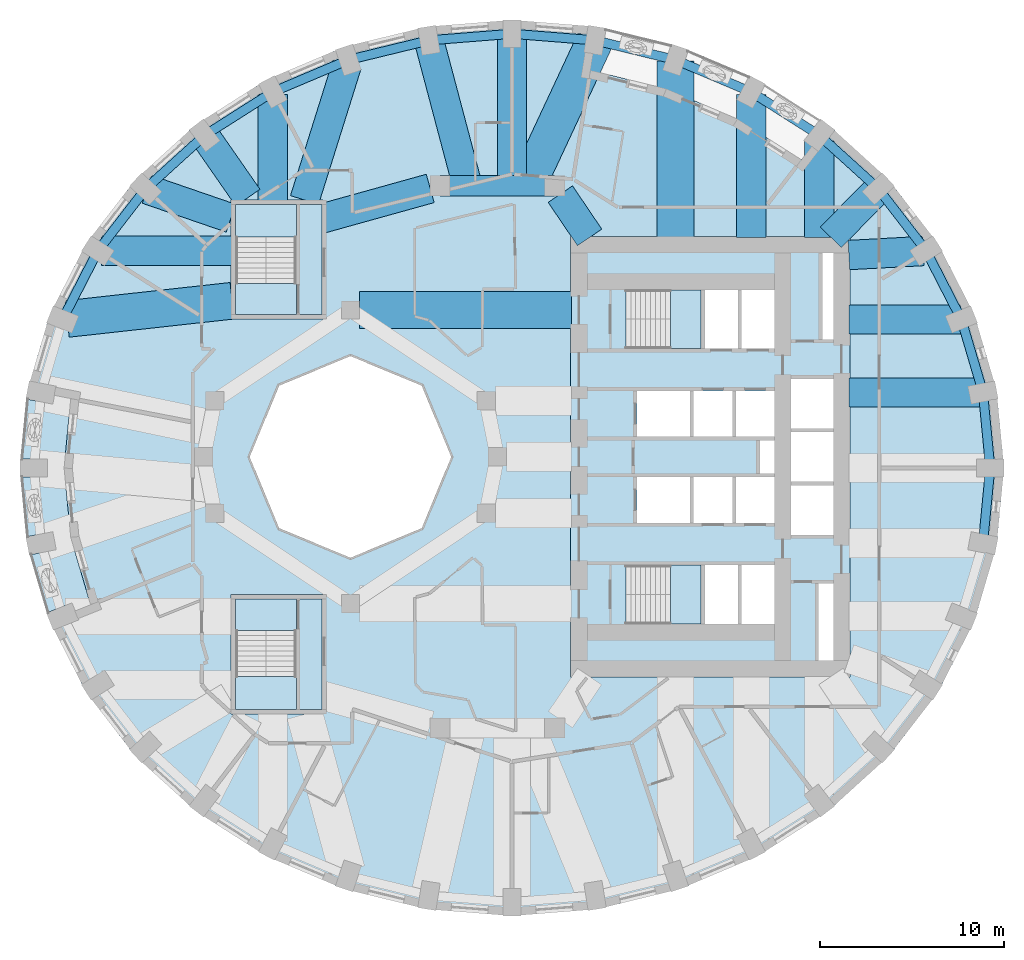
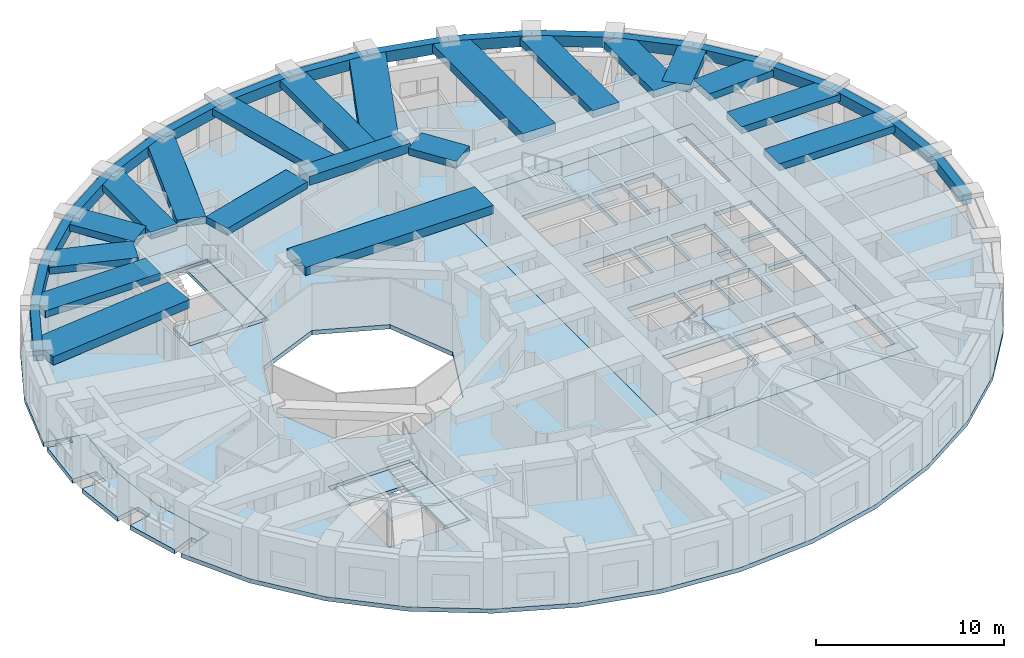
# One storey, part 2 of 12: 37 beams, 11 slabs, 4 elements without a shape of their own.
"""IFC4 building model written with IfcOpenShell, lengths in metres."""

from ifc_helpers import new_model, si_unit, direction, frame, origin, origin_2d, place, context, subcontext, project, spatial, polyline, rectangle, outline, extrude, material, layer, layer_set, material_profile, profile_set, type_object, element, aggregate, save


model = new_model("IFC4")

# Units and contexts
model_context = context("Model", 3, precision=1e-05, world=origin(), true_north=direction((0.0, 1.0)))
body_context = subcontext(model_context, "Body", "Model", "MODEL_VIEW")
ifc_project = project(units=[si_unit("LENGTHUNIT", "METRE"), si_unit("AREAUNIT", "SQUARE_METRE"), si_unit("VOLUMEUNIT", "CUBIC_METRE"), si_unit("PLANEANGLEUNIT", "RADIAN"), si_unit("MASSUNIT", "GRAM", prefix="KILO")], contexts=[model_context])

# Site, building, storey
site_placement = place(None, origin())
site = spatial("IfcSite", under=ifc_project, at=site_placement, CompositionType="ELEMENT")
building_placement = place(site_placement, origin())
building = spatial("IfcBuilding", under=site, at=building_placement, Name="Taillehof Tower", CompositionType="ELEMENT")
storey_placement = place(building_placement, frame((0.0, 0.0, 102.10009765625)))
storey = spatial("IfcBuildingStorey", under=building, at=storey_placement, Name="L28", CompositionType="ELEMENT", Elevation=102.10009765625)

# Beams
ifc_material_1 = material(Name="Concrete C50/60", Category="concrete")
ifc_material_profile_1 = material_profile(ifc_material_1, rectangle(XDim=1.10009765625, YDim=0.60009765625, at=origin_2d()), Name="RC 1100x600")
ifc_profile_set_1 = profile_set([ifc_material_profile_1], Name="Concrete C50/60")
beam_type_1 = type_object("IfcBeamType", Name="Mid-ring beam C50/60 1100x600", PredefinedType="BEAM", material=ifc_profile_set_1)
beam_1_placement = place(storey_placement, frame((3.125732421875, 14.772216796875, 2.719970703125), z_axis=(-1.0, 0.0, 0.0), x_axis=(0.0, -1.0, 0.0)))
element("IfcBeam", 1, at=beam_1_placement, inside=storey, type_object=beam_type_1, Name="Mid-ring beam MB01", PredefinedType="BEAM", context=body_context, shape_type="SweptSolid", body=[
    extrude(rectangle(XDim=1.10009765625, YDim=0.60009765625, at=origin_2d()), origin(), (0.0, 0.0, 1.0), 6.25146484375),
])
ifc_material_2 = material(Name="Concrete C50/60", Category="concrete")
ifc_material_profile_2 = material_profile(ifc_material_2, rectangle(XDim=1.60009765625, YDim=0.449951171875, at=origin_2d()), Name="RC 1600x450")
ifc_profile_set_2 = profile_set([ifc_material_profile_2], Name="Concrete C50/60")
beam_type_2 = type_object("IfcBeamType", Name="Radial band beam C50/60 1600x450", PredefinedType="BEAM", material=ifc_profile_set_2)
beam_2_placement = place(storey_placement, frame((26.454345703125, 3.5068359375, 2.794921875), z_axis=(-1.0, 0.0, 0.0), x_axis=(0.0, -1.0, 0.0)))
element("IfcBeam", 2, at=beam_2_placement, inside=storey, type_object=beam_type_2, Name="Radial band beam RB02", PredefinedType="BEAM", context=body_context, shape_type="SweptSolid", body=[
    extrude(rectangle(XDim=1.60009765625, YDim=0.449951171875, at=origin_2d()), origin(), (0.0, 0.0, 1.0), 7.304443359375),
])
beam_3_placement = place(storey_placement, frame((25.2275390625, 7.48876953125, 2.794921875), z_axis=(-1.0, 0.0, 0.0), x_axis=(0.0, -1.0, 0.0)))
element("IfcBeam", 3, at=beam_3_placement, inside=storey, type_object=beam_type_2, Name="Radial band beam RB03", PredefinedType="BEAM", context=body_context, shape_type="SweptSolid", body=[
    extrude(rectangle(XDim=1.60009765625, YDim=0.449951171875, at=origin_2d()), origin(), (0.0, 0.0, 1.0), 6.07763671875),
])
beam_4_placement = place(storey_placement, frame((23.197021484375, 11.21630859375, 2.794921875), z_axis=(-0.998539024739, -0.054035322466, 0.0), x_axis=(0.054035322466, -0.998539024739, 0.0)))
element("IfcBeam", 4, at=beam_4_placement, inside=storey, type_object=beam_type_2, Name="Radial band beam RB04", PredefinedType="BEAM", context=body_context, shape_type="SweptSolid", body=[
    extrude(rectangle(XDim=1.60009765625, YDim=0.449951171875, at=origin_2d()), origin(), (0.0, 0.0, 1.0), 4.052734375),
])
beam_5_placement = place(storey_placement, frame((20.75537109375, 14.60205078125, 2.794921875), z_axis=(-0.700671998657, -0.713483531903, 0.0), x_axis=(0.713483531903, -0.700671998657, 0.0)))
element("IfcBeam", 5, at=beam_5_placement, inside=storey, type_object=beam_type_2, Name="Radial band beam RB05", PredefinedType="BEAM", context=body_context, shape_type="SweptSolid", body=[
    extrude(rectangle(XDim=1.60009765625, YDim=0.449951171875, at=origin_2d()), origin(), (0.0, 0.0, 1.0), 3.697021484375),
])
beam_6_placement = place(storey_placement, frame((17.544677734375, 17.2216796875, 2.794921875), z_axis=(0.0, -1.0, 0.0), x_axis=(1.0, 0.0, 0.0)))
element("IfcBeam", 6, at=beam_6_placement, inside=storey, type_object=beam_type_2, Name="Radial band beam RB06", PredefinedType="BEAM", context=body_context, shape_type="SweptSolid", body=[
    extrude(rectangle(XDim=1.60009765625, YDim=0.449951171875, at=origin_2d()), origin(), (0.0, 0.0, 1.0), 5.271728515625),
])
beam_7_placement = place(storey_placement, frame((13.824951171875, 19.744384765625, 2.794921875), z_axis=(0.0, -1.0, 0.0), x_axis=(1.0, 0.0, 0.0)))
element("IfcBeam", 7, at=beam_7_placement, inside=storey, type_object=beam_type_2, Name="Radial band beam RB07", PredefinedType="BEAM", context=body_context, shape_type="SweptSolid", body=[
    extrude(rectangle(XDim=1.60009765625, YDim=0.449951171875, at=origin_2d()), origin(), (0.0, 0.0, 1.0), 7.79443359375),
])
beam_8_placement = place(storey_placement, frame((0.800048828125, 23.050048828125, 2.794921875), z_axis=(0.0, -1.0, 0.0), x_axis=(1.0, 0.0, 0.0)))
element("IfcBeam", 8, at=beam_8_placement, inside=storey, type_object=beam_type_2, Name="Radial band beam RB10", PredefinedType="BEAM", context=body_context, shape_type="SweptSolid", body=[
    extrude(rectangle(XDim=1.60009765625, YDim=0.449951171875, at=origin_2d()), origin(), (0.0, 0.0, 1.0), 8.27783203125),
])
beam_9_placement = place(storey_placement, frame((-3.7236328125, 22.690673828125, 2.794921875), z_axis=(0.256102263642, -0.966649693817, 0.0), x_axis=(0.966649693817, 0.256102263642, 0.0)))
element("IfcBeam", 9, at=beam_9_placement, inside=storey, type_object=beam_type_2, Name="Radial band beam RB11", PredefinedType="BEAM", context=body_context, shape_type="SweptSolid", body=[
    extrude(rectangle(XDim=1.60009765625, YDim=0.449951171875, at=origin_2d()), origin(), (0.0, 0.0, 1.0), 8.191650390625),
])
beam_10_placement = place(storey_placement, frame((-8.189453125, 21.369140625, 2.794921875), z_axis=(-0.299184997435, -0.954195125386, 0.0), x_axis=(0.954195125386, -0.299184997435, 0.0)))
element("IfcBeam", 10, at=beam_10_placement, inside=storey, type_object=beam_type_2, Name="Radial band beam RB12", PredefinedType="BEAM", context=body_context, shape_type="SweptSolid", body=[
    extrude(rectangle(XDim=1.60009765625, YDim=0.449951171875, at=origin_2d()), origin(), (0.0, 0.0, 1.0), 7.728515625),
])
beam_11_placement = place(storey_placement, frame((-12.22509765625, 19.744384765625, 2.794921875), z_axis=(0.0, -1.0, 0.0), x_axis=(1.0, 0.0, 0.0)))
element("IfcBeam", 11, at=beam_11_placement, inside=storey, type_object=beam_type_2, Name="Radial band beam RB13", PredefinedType="BEAM", context=body_context, shape_type="SweptSolid", body=[
    extrude(rectangle(XDim=1.60009765625, YDim=0.449951171875, at=origin_2d()), origin(), (0.0, 0.0, 1.0), 5.79443359375),
])
beam_12_placement = place(storey_placement, frame((-15.944580078125, 17.516845703125, 2.794921875), z_axis=(0.570763290366, -0.821114648737, 0.0), x_axis=(0.821114648737, 0.570763290366, 0.0)))
element("IfcBeam", 12, at=beam_12_placement, inside=storey, type_object=beam_type_2, Name="Radial band beam RB14", PredefinedType="BEAM", context=body_context, shape_type="SweptSolid", body=[
    extrude(rectangle(XDim=1.60009765625, YDim=0.449951171875, at=origin_2d()), origin(), (0.0, 0.0, 1.0), 4.1328125),
])
beam_13_placement = place(storey_placement, frame((-19.080810546875, 14.576171875, 2.794921875), z_axis=(0.945583195076, -0.325380425334, 0.0), x_axis=(0.325380425334, 0.945583195076, 0.0)))
element("IfcBeam", 13, at=beam_13_placement, inside=storey, type_object=beam_type_2, Name="Radial band beam RB15", PredefinedType="BEAM", context=body_context, shape_type="SweptSolid", body=[
    extrude(rectangle(XDim=1.60009765625, YDim=0.449951171875, at=origin_2d()), origin(), (0.0, 0.0, 1.0), 4.83349609375),
])
beam_14_placement = place(storey_placement, frame((-21.54736328125, 11.22509765625, 2.794921875), z_axis=(1.0, 0.0, 0.0), x_axis=(0.0, 1.0, 0.0)))
element("IfcBeam", 14, at=beam_14_placement, inside=storey, type_object=beam_type_2, Name="Radial band beam RB16", PredefinedType="BEAM", context=body_context, shape_type="SweptSolid", body=[
    extrude(rectangle(XDim=1.60009765625, YDim=0.449951171875, at=origin_2d()), origin(), (0.0, 0.0, 1.0), 7.097412109375),
])
beam_15_placement = place(storey_placement, frame((3.433837890625, 14.31640625, 2.794921875), z_axis=(0.560112043398, -0.828416862962, 0.0), x_axis=(0.828416862962, 0.560112043398, 0.0)))
element("IfcBeam", 15, at=beam_15_placement, inside=storey, type_object=beam_type_2, Name="Inner band beam IB205", PredefinedType="BEAM", context=body_context, shape_type="SweptSolid", body=[
    extrude(rectangle(XDim=1.60009765625, YDim=0.449951171875, at=origin_2d()), origin(), (0.0, 0.0, 1.0), 2.84619140625),
])
beam_16_placement = place(storey_placement, frame((-3.655517578125, 14.624755859375, 2.794921875), z_axis=(-0.963459369536, -0.267854518821, 0.0), x_axis=(0.267854518821, -0.963459369536, 0.0)))
element("IfcBeam", 16, at=beam_16_placement, inside=storey, type_object=beam_type_2, Name="Inner band beam IB206", PredefinedType="BEAM", context=body_context, shape_type="SweptSolid", body=[
    extrude(rectangle(XDim=1.60009765625, YDim=0.449951171875, at=origin_2d()), origin(), (0.0, 0.0, 1.0), 6.096923828125),
])
ifc_material_3 = material(Name="Concrete C50/60", Category="concrete")
ifc_material_profile_3 = material_profile(ifc_material_3, rectangle(XDim=2.0, YDim=0.550048828125, at=origin_2d()), Name="RC 2000x550")
ifc_profile_set_3 = profile_set([ifc_material_profile_3], Name="Concrete C50/60")
beam_type_3 = type_object("IfcBeamType", Name="Radial band beam C50/60 2000x550", PredefinedType="BEAM", material=ifc_profile_set_3)
beam_17_placement = place(storey_placement, frame((9.709716796875, 21.556640625, 2.744873046875), z_axis=(0.0, -1.0, 0.0), x_axis=(1.0, 0.0, 0.0)))
element("IfcBeam", 17, at=beam_17_placement, inside=storey, type_object=beam_type_3, Name="Radial band beam RB08", PredefinedType="BEAM", context=body_context, shape_type="SweptSolid", body=[
    extrude(rectangle(XDim=2.0, YDim=0.550048828125, at=origin_2d()), origin(), (0.0, 0.0, 1.0), 9.606689453125),
])
beam_18_placement = place(storey_placement, frame((5.312744140625, 22.66748046875, 2.744873046875), z_axis=(-0.423126261145, -0.90607072965, 0.0), x_axis=(0.90607072965, -0.423126261145, 0.0)))
element("IfcBeam", 18, at=beam_18_placement, inside=storey, type_object=beam_type_3, Name="Radial band beam RB09", PredefinedType="BEAM", context=body_context, shape_type="SweptSolid", body=[
    extrude(rectangle(XDim=2.0, YDim=0.550048828125, at=origin_2d()), origin(), (0.0, 0.0, 1.0), 8.713623046875),
])
beam_19_placement = place(storey_placement, frame((-23.42919921875, 7.516357421875, 2.744873046875), z_axis=(0.993988424713, 0.109485211499, 0.0), x_axis=(-0.109485211499, 0.993988424713, 0.0)))
element("IfcBeam", 19, at=beam_19_placement, inside=storey, type_object=beam_type_3, Name="Radial band beam RB17", PredefinedType="BEAM", context=body_context, shape_type="SweptSolid", body=[
    extrude(rectangle(XDim=2.0, YDim=0.550048828125, at=origin_2d()), origin(), (0.0, 0.0, 1.0), 9.033203125),
])
beam_20_placement = place(storey_placement, frame((-7.5, 8.0, 2.744873046875), z_axis=(1.0, 0.0, 0.0), x_axis=(0.0, 1.0, 0.0)))
element("IfcBeam", 20, at=beam_20_placement, inside=storey, type_object=beam_type_3, Name="Inner band beam IB105", PredefinedType="BEAM", context=body_context, shape_type="SweptSolid", body=[
    extrude(rectangle(XDim=2.0, YDim=0.550048828125, at=origin_2d()), origin(), (0.0, 0.0, 1.0), 11.550048828125),
])
ifc_material_4 = material(Name="Concrete C50/60", Category="concrete")
ifc_material_profile_4 = material_profile(ifc_material_4, rectangle(XDim=0.5, YDim=0.699951171875, at=origin_2d()), Name="RC 500x700")
ifc_profile_set_4 = profile_set([ifc_material_profile_4], Name="Concrete C50/60")
beam_type_4 = type_object("IfcBeamType", Name="Spandrel beam C50/60 500x700", PredefinedType="SPANDREL", material=ifc_profile_set_4)
beam_21_placement = place(storey_placement, frame((26.85009765625, -0.60009765625, 2.669921875), z_axis=(-0.095917608943, 0.995389276763, 0.0), x_axis=(-0.995389276763, -0.095917608943, 0.0)))
element("IfcBeam", 21, at=beam_21_placement, inside=storey, type_object=beam_type_4, Name="Spandrel beam SB01", PredefinedType="SPANDREL", context=body_context, shape_type="SweptSolid", body=[
    extrude(rectangle(XDim=0.5, YDim=0.699951171875, at=origin_2d()), origin(), (0.0, 0.0, 1.0), 4.1259765625),
])
beam_22_placement = place(storey_placement, frame((26.454345703125, 3.5068359375, 2.669921875), z_axis=(-0.28308309012, 0.95909538842, 0.0), x_axis=(-0.95909538842, -0.28308309012, 0.0)))
element("IfcBeam", 22, at=beam_22_placement, inside=storey, type_object=beam_type_4, Name="Spandrel beam SB02", PredefinedType="SPANDREL", context=body_context, shape_type="SweptSolid", body=[
    extrude(rectangle(XDim=0.5, YDim=0.699951171875, at=origin_2d()), origin(), (0.0, 0.0, 1.0), 4.15185546875),
])
beam_23_placement = place(storey_placement, frame((25.279052734375, 7.48876953125, 2.669921875), z_axis=(-0.456905372708, 0.88951530644, 0.0), x_axis=(-0.88951530644, -0.456905372708, 0.0)))
element("IfcBeam", 23, at=beam_23_placement, inside=storey, type_object=beam_type_4, Name="Spandrel beam SB03", PredefinedType="SPANDREL", context=body_context, shape_type="SweptSolid", body=[
    extrude(rectangle(XDim=0.5, YDim=0.699951171875, at=origin_2d()), origin(), (0.0, 0.0, 1.0), 4.200439453125),
])
beam_24_placement = place(storey_placement, frame((23.35986328125, 11.22509765625, 2.669921875), z_axis=(-0.61071731561, 0.79184869793, 0.0), x_axis=(-0.79184869793, -0.61071731561, 0.0)))
element("IfcBeam", 24, at=beam_24_placement, inside=storey, type_object=beam_type_4, Name="Spandrel beam SB04", PredefinedType="SPANDREL", context=body_context, shape_type="SweptSolid", body=[
    extrude(rectangle(XDim=0.5, YDim=0.699951171875, at=origin_2d()), origin(), (0.0, 0.0, 1.0), 4.2646484375),
])
beam_25_placement = place(storey_placement, frame((20.75537109375, 14.60205078125, 2.669921875), z_axis=(-0.740400998917, 0.672165426665, 0.0), x_axis=(-0.672165426665, -0.740400998917, 0.0)))
element("IfcBeam", 25, at=beam_25_placement, inside=storey, type_object=beam_type_4, Name="Spandrel beam SB05", PredefinedType="SPANDREL", context=body_context, shape_type="SweptSolid", body=[
    extrude(rectangle(XDim=0.5, YDim=0.699951171875, at=origin_2d()), origin(), (0.0, 0.0, 1.0), 4.33642578125),
])
beam_26_placement = place(storey_placement, frame((17.544677734375, 17.516845703125, 2.669921875), z_axis=(-0.843903157847, 0.536495536027, 0.0), x_axis=(-0.536495536027, -0.843903157847, 0.0)))
element("IfcBeam", 26, at=beam_26_placement, inside=storey, type_object=beam_type_4, Name="Spandrel beam SB06", PredefinedType="SPANDREL", context=body_context, shape_type="SweptSolid", body=[
    extrude(rectangle(XDim=0.5, YDim=0.699951171875, at=origin_2d()), origin(), (0.0, 0.0, 1.0), 4.40771484375),
])
beam_27_placement = place(storey_placement, frame((13.824951171875, 19.881591796875, 2.669921875), z_axis=(-0.920876744153, 0.389853847074, 0.0), x_axis=(-0.389853847074, -0.920876744153, 0.0)))
element("IfcBeam", 27, at=beam_27_placement, inside=storey, type_object=beam_type_4, Name="Spandrel beam SB07", PredefinedType="SPANDREL", context=body_context, shape_type="SweptSolid", body=[
    extrude(rectangle(XDim=0.5, YDim=0.699951171875, at=origin_2d()), origin(), (0.0, 0.0, 1.0), 4.46875),
])
beam_28_placement = place(storey_placement, frame((9.709716796875, 21.623779296875, 2.669921875), z_axis=(-0.971668945916, 0.23634605887, 0.0), x_axis=(-0.23634605887, -0.971668945916, 0.0)))
element("IfcBeam", 28, at=beam_28_placement, inside=storey, type_object=beam_type_4, Name="Spandrel beam SB08", PredefinedType="SPANDREL", context=body_context, shape_type="SweptSolid", body=[
    extrude(rectangle(XDim=0.5, YDim=0.699951171875, at=origin_2d()), origin(), (0.0, 0.0, 1.0), 4.51416015625),
])
beam_29_placement = place(storey_placement, frame((5.323486328125, 22.690673828125, 2.669921875), z_axis=(-0.996858923208, 0.079197772828, 0.0), x_axis=(-0.079197772828, -0.996858923208, 0.0)))
element("IfcBeam", 29, at=beam_29_placement, inside=storey, type_object=beam_type_4, Name="Spandrel beam SB09", PredefinedType="SPANDREL", context=body_context, shape_type="SweptSolid", body=[
    extrude(rectangle(XDim=0.5, YDim=0.699951171875, at=origin_2d()), origin(), (0.0, 0.0, 1.0), 4.53759765625),
])
beam_30_placement = place(storey_placement, frame((0.800048828125, 23.050048828125, 2.669921875), z_axis=(-0.996859260648, -0.079193525375, 0.0), x_axis=(0.079193525375, -0.996859260648, 0.0)))
element("IfcBeam", 30, at=beam_30_placement, inside=storey, type_object=beam_type_4, Name="Spandrel beam SB10", PredefinedType="SPANDREL", context=body_context, shape_type="SweptSolid", body=[
    extrude(rectangle(XDim=0.5, YDim=0.699951171875, at=origin_2d()), origin(), (0.0, 0.0, 1.0), 4.537841796875),
])
beam_31_placement = place(storey_placement, frame((-3.7236328125, 22.690673828125, 2.669921875), z_axis=(-0.971665924588, -0.236358479847, 0.0), x_axis=(0.236358479847, -0.971665924588, 0.0)))
element("IfcBeam", 31, at=beam_31_placement, inside=storey, type_object=beam_type_4, Name="Spandrel beam SB11", PredefinedType="SPANDREL", context=body_context, shape_type="SweptSolid", body=[
    extrude(rectangle(XDim=0.5, YDim=0.699951171875, at=origin_2d()), origin(), (0.0, 0.0, 1.0), 4.513916015625),
])
beam_32_placement = place(storey_placement, frame((-8.109619140625, 21.623779296875, 2.669921875), z_axis=(-0.920885046825, -0.389834234688, 0.0), x_axis=(0.389834234688, -0.920885046825, 0.0)))
element("IfcBeam", 32, at=beam_32_placement, inside=storey, type_object=beam_type_4, Name="Spandrel beam SB12", PredefinedType="SPANDREL", context=body_context, shape_type="SweptSolid", body=[
    extrude(rectangle(XDim=0.5, YDim=0.699951171875, at=origin_2d()), origin(), (0.0, 0.0, 1.0), 4.468994140625),
])
beam_33_placement = place(storey_placement, frame((-12.22509765625, 19.881591796875, 2.669921875), z_axis=(-0.843887214322, -0.536520614239, 0.0), x_axis=(0.536520614239, -0.843887214322, 0.0)))
element("IfcBeam", 33, at=beam_33_placement, inside=storey, type_object=beam_type_4, Name="Spandrel beam SB13", PredefinedType="SPANDREL", context=body_context, shape_type="SweptSolid", body=[
    extrude(rectangle(XDim=0.5, YDim=0.699951171875, at=origin_2d()), origin(), (0.0, 0.0, 1.0), 4.407470703125),
])
beam_34_placement = place(storey_placement, frame((-15.944580078125, 17.516845703125, 2.669921875), z_axis=(-0.740426434014, -0.672137408432, 0.0), x_axis=(0.672137408432, -0.740426434014, 0.0)))
element("IfcBeam", 34, at=beam_34_placement, inside=storey, type_object=beam_type_4, Name="Spandrel beam SB14", PredefinedType="SPANDREL", context=body_context, shape_type="SweptSolid", body=[
    extrude(rectangle(XDim=0.5, YDim=0.699951171875, at=origin_2d()), origin(), (0.0, 0.0, 1.0), 4.336669921875),
])
beam_35_placement = place(storey_placement, frame((-19.155517578125, 14.60205078125, 2.669921875), z_axis=(-0.61071731561, -0.79184869793, 0.0), x_axis=(0.79184869793, -0.61071731561, 0.0)))
element("IfcBeam", 35, at=beam_35_placement, inside=storey, type_object=beam_type_4, Name="Spandrel beam SB15", PredefinedType="SPANDREL", context=body_context, shape_type="SweptSolid", body=[
    extrude(rectangle(XDim=0.5, YDim=0.699951171875, at=origin_2d()), origin(), (0.0, 0.0, 1.0), 4.2646484375),
])
beam_36_placement = place(storey_placement, frame((-21.760009765625, 11.22509765625, 2.669921875), z_axis=(-0.456859381733, -0.889538928503, 0.0), x_axis=(0.889538928503, -0.456859381733, 0.0)))
element("IfcBeam", 36, at=beam_36_placement, inside=storey, type_object=beam_type_4, Name="Spandrel beam SB16", PredefinedType="SPANDREL", context=body_context, shape_type="SweptSolid", body=[
    extrude(rectangle(XDim=0.5, YDim=0.699951171875, at=origin_2d()), origin(), (0.0, 0.0, 1.0), 4.2001953125),
])
beam_37_placement = place(storey_placement, frame((26.454345703125, -4.706787109375, 2.669921875), z_axis=(0.09592325873, 0.995388732323, 0.0), x_axis=(-0.995388732323, 0.09592325873, 0.0)))
element("IfcBeam", 37, at=beam_37_placement, inside=storey, type_object=beam_type_4, Name="Spandrel beam SB36", PredefinedType="SPANDREL", context=body_context, shape_type="SweptSolid", body=[
    extrude(rectangle(XDim=0.5, YDim=0.699951171875, at=origin_2d()), origin(), (0.0, 0.0, 1.0), 4.125732421875),
])

# Slabs
ifc_material_5 = material(Name="Concrete C40/50", Category="concrete")
ifc_layer_1 = layer(ifc_material_5, 0.280029296875)
ifc_layer_set_1 = layer_set([ifc_layer_1], Name="Balcony slab 280")
slab_type_1 = type_object("IfcSlabType", Name="Balcony slab 280", PredefinedType="USERDEFINED", material=ifc_layer_set_1)
slab_1_placement = place(storey_placement, frame((0.0, 0.0, -0.280029296875)))
element("IfcSlab", 38, at=slab_1_placement, inside=storey, type_object=slab_type_1, Name="Balcony L28 pocket 5", ObjectType="BALCONY", PredefinedType="USERDEFINED", context=body_context, shape_type="SweptSolid", body=[
    extrude(outline(polyline([(-22.1552734375, -8.054443359375), (-22.9912109375, -8.388671875), (-23.168212890625, -7.946044921875), (-24.518798828125, -8.486083984375), (-25.447509765625, -5.3310546875), (-24.02294921875, -5.05517578125), (-24.212890625, -4.0732421875), (-25.6396484375, -4.349609375), (-25.951904296875, -1.10009765625), (-24.5, -1.10009765625), (-24.5, -0.10009765625), (-25.951904296875, -0.10009765625), (-25.6396484375, 3.149658203125), (-24.212890625, 2.873291015625), (-24.120361328125, 3.351806640625), (-23.236572265625, 3.1806640625), (-23.60009765625, -0.60009765625), (-23.236572265625, -4.380615234375), (-22.1552734375, -8.054443359375)])), origin(), (0.0, 0.0, 1.0), 0.280029296875),
])
ifc_material_6 = material(Name="Concrete C40/50", Category="concrete")
ifc_layer_2 = layer(ifc_material_6, 0.280029296875)
ifc_layer_set_2 = layer_set([ifc_layer_2], Name="Core floor slab C40/50 280")
slab_type_2 = type_object("IfcSlabType", Name="Core floor slab C40/50 280", PredefinedType="FLOOR", material=ifc_layer_set_2)
slab_2_placement = place(storey_placement, frame((0.0, 0.0, -0.280029296875)))
element("IfcSlab", 39, at=slab_2_placement, inside=storey, type_object=slab_type_2, Name="Core floor L28", PredefinedType="FLOOR", context=body_context, shape_type="SweptSolid", body=[
    extrude(outline(polyline([(4.0, -12.0), (4.0, 12.0), (19.199951171875, 12.0), (19.199951171875, -12.0), (4.0, -12.0)]), holes=[polyline([(7.00048828125, -9.10009765625), (11.10009765625, -9.10009765625), (11.10009765625, -5.89990234375), (7.00048828125, -5.89990234375), (7.00048828125, -9.10009765625)]), polyline([(13.10009765625, -9.10009765625), (13.10009765625, -5.89990234375), (11.300048828125, -5.89990234375), (11.300048828125, -9.10009765625), (13.10009765625, -9.10009765625)]), polyline([(10.5, -3.60009765625), (10.5, -1.10009765625), (7.60009765625, -1.10009765625), (7.60009765625, -3.60009765625), (10.5, -3.60009765625)]), polyline([(12.800048828125, -3.60009765625), (12.800048828125, -1.10009765625), (10.699951171875, -1.10009765625), (10.699951171875, -3.60009765625), (12.800048828125, -3.60009765625)]), polyline([(10.5, 1.10009765625), (10.5, 3.60009765625), (7.60009765625, 3.60009765625), (7.60009765625, 1.10009765625), (10.5, 1.10009765625)]), polyline([(12.800048828125, 1.10009765625), (12.800048828125, 3.60009765625), (10.699951171875, 3.60009765625), (10.699951171875, 1.10009765625), (12.800048828125, 1.10009765625)]), polyline([(15.10009765625, 1.10009765625), (15.10009765625, 3.60009765625), (13.0, 3.60009765625), (13.0, 1.10009765625), (15.10009765625, 1.10009765625)]), polyline([(11.300048828125, 5.89990234375), (13.10009765625, 5.89990234375), (13.10009765625, 9.10009765625), (11.300048828125, 9.10009765625), (11.300048828125, 5.89990234375)]), polyline([(7.00048828125, 5.89990234375), (11.10009765625, 5.89990234375), (11.10009765625, 9.10009765625), (7.00048828125, 9.10009765625), (7.00048828125, 5.89990234375)]), polyline([(18.300048828125, -11.10009765625), (18.300048828125, -6.89990234375), (17.5, -6.89990234375), (17.5, -11.10009765625), (18.300048828125, -11.10009765625)]), polyline([(15.10009765625, -9.10009765625), (15.10009765625, -5.89990234375), (13.300048828125, -5.89990234375), (13.300048828125, -9.10009765625), (15.10009765625, -9.10009765625)]), polyline([(18.300048828125, -4.25), (18.300048828125, -1.550048828125), (16.0, -1.550048828125), (16.0, -4.25), (18.300048828125, -4.25)]), polyline([(15.10009765625, -3.60009765625), (15.10009765625, -1.10009765625), (13.0, -1.10009765625), (13.0, -3.60009765625), (15.10009765625, -3.60009765625)]), polyline([(15.10009765625, -0.89990234375), (15.10009765625, 0.89990234375), (14.300048828125, 0.89990234375), (14.300048828125, -0.89990234375), (15.10009765625, -0.89990234375)]), polyline([(18.300048828125, -1.35009765625), (18.300048828125, 1.35009765625), (16.0, 1.35009765625), (16.0, -1.35009765625), (18.300048828125, -1.35009765625)]), polyline([(18.300048828125, 1.550048828125), (18.300048828125, 4.25), (16.0, 4.25), (16.0, 1.550048828125), (18.300048828125, 1.550048828125)]), polyline([(13.300048828125, 5.89990234375), (15.10009765625, 5.89990234375), (15.10009765625, 9.10009765625), (13.300048828125, 9.10009765625), (13.300048828125, 5.89990234375)]), polyline([(17.699951171875, 6.39990234375), (18.300048828125, 6.39990234375), (18.300048828125, 11.10009765625), (17.699951171875, 11.10009765625), (17.699951171875, 6.39990234375)])]), origin(), (0.0, 0.0, 1.0), 0.280029296875),
])
ifc_material_7 = material(Name="Concrete C40/50", Category="concrete")
ifc_layer_3 = layer(ifc_material_7, 0.280029296875)
ifc_layer_set_3 = layer_set([ifc_layer_3], Name="Floor slab 280")
slab_type_3 = type_object("IfcSlabType", Name="Floor slab 280", PredefinedType="FLOOR", material=ifc_layer_set_3)
slab_3_placement = place(storey_placement, frame((0.0, 0.0, -0.280029296875)))
element("IfcSlab", 40, at=slab_3_placement, inside=storey, type_object=slab_type_3, Name="Floor slab L28", PredefinedType="FLOOR", context=body_context, shape_type="SweptSolid", body=[
    extrude(outline(polyline([(27.60009765625, -0.60009765625), (27.19287109375, 3.636962890625), (25.98388671875, 7.745361328125), (24.009521484375, 11.60009765625), (21.330078125, 15.083984375), (18.026611328125, 18.091552734375), (16.569580078125, 16.184326171875), (13.083251953125, 18.406494140625), (9.211181640625, 20.05029296875), (5.073486328125, 21.059814453125), (5.453857421875, 23.42919921875), (0.800048828125, 23.800048828125), (-3.853759765625, 23.42919921875), (-8.3662109375, 22.32861328125), (-12.60009765625, 20.531005859375), (-16.4267578125, 18.091552734375), (-19.72998046875, 15.083984375), (-22.409423828125, 11.60009765625), (-24.3837890625, 7.745361328125), (-25.5927734375, 3.636962890625), (-23.236572265625, 3.1806640625), (-23.60009765625, -0.60009765625), (-23.236572265625, -4.380615234375), (-22.1552734375, -8.054443359375), (-24.3837890625, -8.9453125), (-22.409423828125, -12.800048828125), (-19.72998046875, -16.283935546875), (-16.4267578125, -19.29150390625), (-12.60009765625, -21.73095703125), (-8.3662109375, -23.528564453125), (-3.853759765625, -24.62939453125), (0.800048828125, -25.0), (5.453857421875, -24.62939453125), (9.966064453125, -23.528564453125), (14.199951171875, -21.73095703125), (18.026611328125, -19.29150390625), (21.330078125, -16.283935546875), (24.009521484375, -12.800048828125), (25.98388671875, -8.9453125), (27.19287109375, -4.8369140625), (27.60009765625, -0.60009765625)]), holes=[polyline([(-14.5, -7.5), (-9.5, -7.5), (-9.5, -14.0), (-14.5, -14.0), (-14.5, -7.5)]), polyline([(-8.0, -5.5), (-11.88916015625, -3.88916015625), (-13.5, 0.0), (-11.88916015625, 3.88916015625), (-8.0, 5.5), (-4.11083984375, 3.88916015625), (-2.5, 0.0), (-4.11083984375, -3.88916015625), (-8.0, -5.5)]), polyline([(19.199951171875, 12.0), (19.199951171875, -12.0), (4.0, -12.0), (4.0, 12.0), (19.199951171875, 12.0)]), polyline([(-14.5, 14.0), (-9.5, 14.0), (-9.5, 7.5), (-14.5, 7.5), (-14.5, 14.0)])]), origin(), (0.0, 0.0, 1.0), 0.280029296875),
])

# Stair, slab
ifc_material_8 = material(Name="Concrete C40/50", Category="concrete")
stair_type = type_object("IfcStairType", Name="Exit stair half-turn", PredefinedType="HALF_TURN_STAIR", material=ifc_material_8)
stair_1_placement = place(storey_placement, origin())
stair_1 = element("IfcStair", 41, at=stair_1_placement, inside=storey, type_object=stair_type, Name="Exit stair S1", PredefinedType="HALF_TURN_STAIR")
ifc_material_9 = material(Name="Concrete C40/50", Category="concrete")
ifc_layer_4 = layer(ifc_material_9, 0.2099609375)
ifc_layer_set_4 = layer_set([ifc_layer_4], Name="Stair landing C40/50 210")
slab_type_4 = type_object("IfcSlabType", Name="Stair landing C40/50 210", PredefinedType="LANDING", material=ifc_layer_set_4)
slab_4_placement = place(storey_placement, frame((0.0, 0.0, 1.43994140625)))
slab_4 = element("IfcSlab", 42, at=slab_4_placement, type_object=slab_type_4, Name="S1 landing 1", PredefinedType="LANDING", context=body_context, shape_type="SweptSolid", body=[
    extrude(outline(polyline([(9.429931640625, 5.89990234375), (11.10009765625, 5.89990234375), (11.10009765625, 9.10009765625), (9.429931640625, 9.10009765625), (9.429931640625, 5.89990234375)])), origin(), (0.0, 0.0, 1.0), 0.2099609375),
])
aggregate(stair_1, [slab_4])

stair_2_placement = place(storey_placement, origin())
stair_2 = element("IfcStair", 43, at=stair_2_placement, inside=storey, type_object=stair_type, Name="Exit stair S2", PredefinedType="HALF_TURN_STAIR")
slab_5_placement = place(storey_placement, frame((0.0, 0.0, 1.43994140625)))
slab_5 = element("IfcSlab", 44, at=slab_5_placement, type_object=slab_type_4, Name="S2 landing 1", PredefinedType="LANDING", context=body_context, shape_type="SweptSolid", body=[
    extrude(outline(polyline([(9.429931640625, -5.89990234375), (11.10009765625, -5.89990234375), (11.10009765625, -9.10009765625), (9.429931640625, -9.10009765625), (9.429931640625, -5.89990234375)])), origin(), (0.0, 0.0, 1.0), 0.2099609375),
])
aggregate(stair_2, [slab_5])

stair_3_placement = place(storey_placement, origin())
stair_3 = element("IfcStair", 45, at=stair_3_placement, inside=storey, type_object=stair_type, Name="Exit stair S3", PredefinedType="HALF_TURN_STAIR")
slab_6_placement = place(storey_placement, frame((0.0, 0.0, 1.43994140625)))
slab_6 = element("IfcSlab", 46, at=slab_6_placement, type_object=slab_type_4, Name="S3 landing 1", PredefinedType="LANDING", context=body_context, shape_type="SweptSolid", body=[
    extrude(outline(polyline([(-14.25, 11.969970703125), (-14.25, 13.75), (-10.949951171875, 13.75), (-10.949951171875, 11.969970703125), (-14.25, 11.969970703125)])), origin(), (0.0, 0.0, 1.0), 0.2099609375),
])
aggregate(stair_3, [slab_6])

stair_4_placement = place(storey_placement, origin())
stair_4 = element("IfcStair", 47, at=stair_4_placement, inside=storey, type_object=stair_type, Name="Exit stair S4", PredefinedType="HALF_TURN_STAIR")
slab_7_placement = place(storey_placement, frame((0.0, 0.0, 1.43994140625)))
slab_7 = element("IfcSlab", 48, at=slab_7_placement, type_object=slab_type_4, Name="S4 landing 1", PredefinedType="LANDING", context=body_context, shape_type="SweptSolid", body=[
    extrude(outline(polyline([(-14.25, -11.969970703125), (-14.25, -13.75), (-10.949951171875, -13.75), (-10.949951171875, -11.969970703125), (-14.25, -11.969970703125)])), origin(), (0.0, 0.0, 1.0), 0.2099609375),
])
aggregate(stair_4, [slab_7])

# Slabs
slab_8_placement = place(storey_placement, frame((0.0, 0.0, -0.210205078125)))
element("IfcSlab", 49, at=slab_8_placement, inside=storey, type_object=slab_type_4, Name="Stair S3 floor landing", PredefinedType="LANDING", context=body_context, shape_type="SweptSolid", body=[
    extrude(outline(polyline([(-14.25, 7.75), (-14.25, 9.449951171875), (-10.949951171875, 9.449951171875), (-10.949951171875, 7.75), (-14.25, 7.75)])), origin(), (0.0, 0.0, 1.0), 0.210205078125),
])
slab_9_placement = place(storey_placement, frame((0.0, 0.0, -0.210205078125)))
element("IfcSlab", 50, at=slab_9_placement, inside=storey, type_object=slab_type_4, Name="Stair lobby S3 floor", PredefinedType="LANDING", context=body_context, shape_type="SweptSolid", body=[
    extrude(outline(polyline([(-10.949951171875, 7.75), (-9.550048828125, 7.75), (-9.550048828125, 13.75), (-10.949951171875, 13.75), (-10.949951171875, 7.75)])), origin(), (0.0, 0.0, 1.0), 0.210205078125),
])
slab_10_placement = place(storey_placement, frame((0.0, 0.0, -0.210205078125)))
element("IfcSlab", 51, at=slab_10_placement, inside=storey, type_object=slab_type_4, Name="Stair S4 floor landing", PredefinedType="LANDING", context=body_context, shape_type="SweptSolid", body=[
    extrude(outline(polyline([(-14.25, -7.75), (-14.25, -9.449951171875), (-10.949951171875, -9.449951171875), (-10.949951171875, -7.75), (-14.25, -7.75)])), origin(), (0.0, 0.0, 1.0), 0.210205078125),
])
slab_11_placement = place(storey_placement, frame((0.0, 0.0, -0.210205078125)))
element("IfcSlab", 52, at=slab_11_placement, inside=storey, type_object=slab_type_4, Name="Stair lobby S4 floor", PredefinedType="LANDING", context=body_context, shape_type="SweptSolid", body=[
    extrude(outline(polyline([(-10.949951171875, -13.75), (-9.550048828125, -13.75), (-9.550048828125, -7.75), (-10.949951171875, -7.75), (-10.949951171875, -13.75)])), origin(), (0.0, 0.0, 1.0), 0.210205078125),
])

save(model, "model.ifc")
